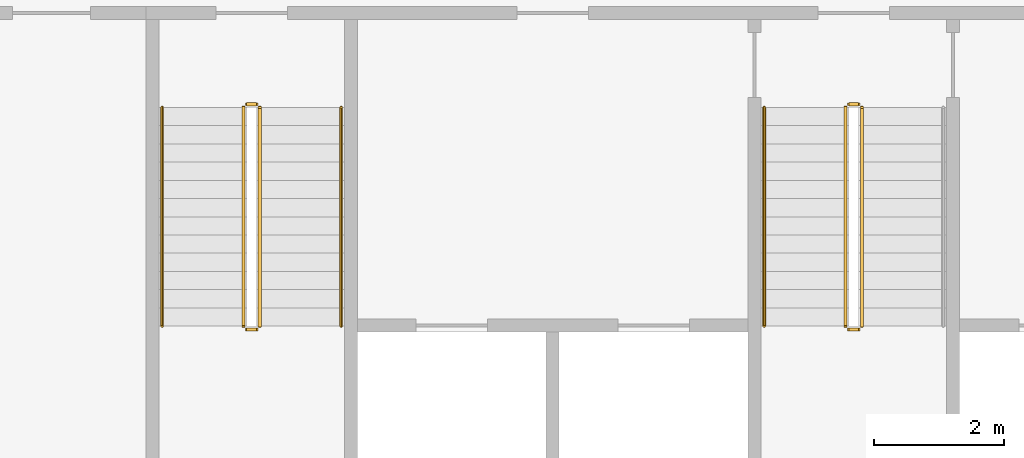
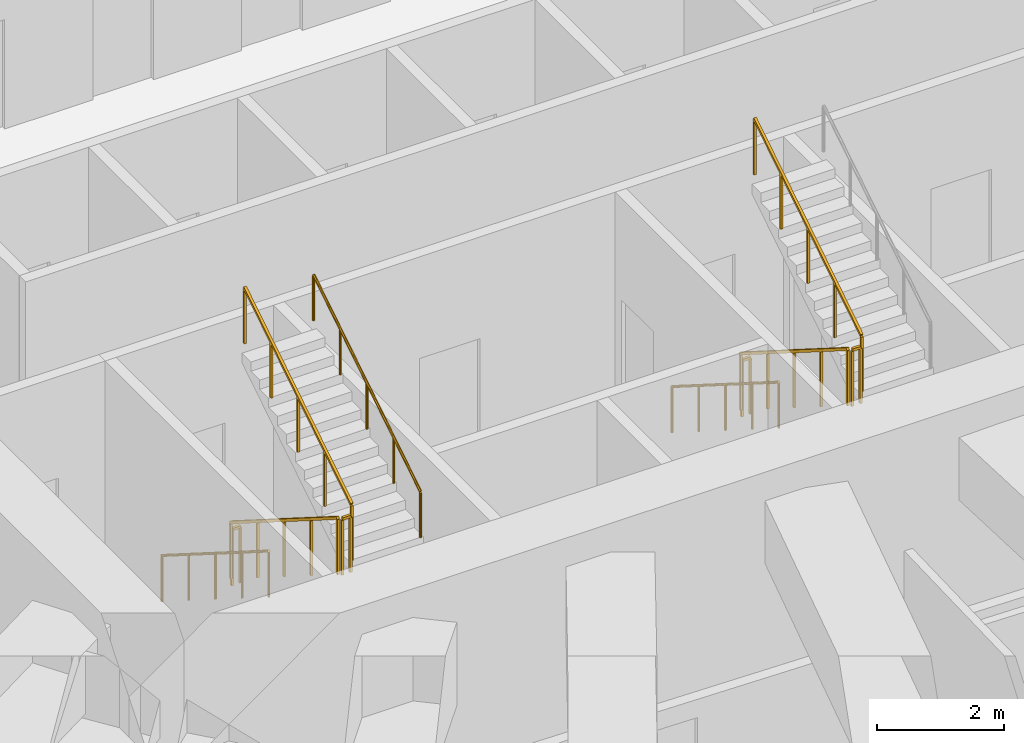
# One storey, part 17 of 20: 11 railings.
"""IFC4 building model written with IfcOpenShell, lengths in metres."""

from ifc_helpers import new_model, si_unit, direction, frame, origin, origin_2d, place, context, subcontext, project, spatial, rectangle, circle, extrude, material, type_object, element, save


model = new_model("IFC4")

# Units and contexts
model_context = context("Model", 3, precision=1e-05, world=origin(), true_north=direction((0.0, 1.0)))
body_context = subcontext(model_context, "Body", "Model", "MODEL_VIEW")
ifc_project = project(units=[si_unit("LENGTHUNIT", "METRE"), si_unit("AREAUNIT", "SQUARE_METRE"), si_unit("VOLUMEUNIT", "CUBIC_METRE"), si_unit("PLANEANGLEUNIT", "RADIAN"), si_unit("MASSUNIT", "GRAM", prefix="KILO")], contexts=[model_context])

# Site, building, storey
site_placement = place(None, origin())
site = spatial("IfcSite", under=ifc_project, at=site_placement, CompositionType="ELEMENT")
building_placement = place(site_placement, origin())
building = spatial("IfcBuilding", under=site, at=building_placement, Name="Mangrove Gate Tower", CompositionType="ELEMENT")
storey_placement = place(building_placement, frame((0.0, 0.0, 97.300048828125)))
storey = spatial("IfcBuildingStorey", under=building, at=storey_placement, Name="L24", CompositionType="ELEMENT", Elevation=97.300048828125)

# Railings
ifc_material_1 = material(Name="Stainless steel 316", Category="steel")
railing_type_1 = type_object("IfcRailingType", Name="Core stair guard 1100", PredefinedType="GUARDRAIL", material=ifc_material_1)
railing_1_placement = place(storey_placement, frame((-9.39990234375, -4.64990234375, 0.1767578125)))
element("IfcRailing", 1, at=railing_1_placement, inside=storey, type_object=railing_type_1, Name="L24 ST1 stair guard 1", PredefinedType="GUARDRAIL", context=body_context, shape_type="SweptSolid", body=[
    extrude(rectangle(XDim=0.048095703125, YDim=0.048095703125, at=origin_2d()), frame((0.0, 0.0, 1.076171875), z_axis=(0.0, -0.845361898145, 0.534194029511), x_axis=(1.0, 0.0, 0.0)), (0.0, 0.0, 1.0), 3.974853515625),
    extrude(rectangle(XDim=0.0419921875, YDim=0.0419921875, at=origin_2d()), origin(), (0.0, 0.0, 1.0), 1.052001953125),
    extrude(rectangle(XDim=0.0419921875, YDim=0.0419921875, at=origin_2d()), frame((0.0, -0.840087890625, 0.53076171875)), (0.0, 0.0, 1.0), 1.052001953125),
    extrude(rectangle(XDim=0.0419921875, YDim=0.0419921875, at=origin_2d()), frame((0.0, -1.68017578125, 1.0615234375)), (0.0, 0.0, 1.0), 1.052001953125),
    extrude(rectangle(XDim=0.0419921875, YDim=0.0419921875, at=origin_2d()), frame((0.0, -2.52001953125, 1.592529296875)), (0.0, 0.0, 1.0), 1.052001953125),
    extrude(rectangle(XDim=0.0419921875, YDim=0.0419921875, at=origin_2d()), frame((0.0, -3.360107421875, 2.123291015625)), (0.0, 0.0, 1.0), 1.052001953125),
])
railing_2_placement = place(storey_placement, frame((-9.35009765625, -8.06005859375, 2.300048828125)))
element("IfcRailing", 2, at=railing_2_placement, inside=storey, type_object=railing_type_1, Name="L24 ST1 stair guard 2", PredefinedType="GUARDRAIL", context=body_context, shape_type="SweptSolid", body=[
    extrude(rectangle(XDim=0.048095703125, YDim=0.048095703125, at=origin_2d()), frame((0.0, 0.0, 1.076171875), z_axis=(1.0, 0.0, 0.0), x_axis=(0.0, 1.0, 0.0)), (0.0, 0.0, 1.0), 0.150146484375),
    extrude(rectangle(XDim=0.0419921875, YDim=0.0419921875, at=origin_2d()), origin(), (0.0, 0.0, 1.0), 1.052001953125),
    extrude(rectangle(XDim=0.0419921875, YDim=0.0419921875, at=origin_2d()), frame((0.150146484375, 0.0, 0.0)), (0.0, 0.0, 1.0), 1.052001953125),
])
railing_3_placement = place(storey_placement, frame((-9.14990234375, -8.010009765625, 2.476806640625)))
element("IfcRailing", 3, at=railing_3_placement, inside=storey, type_object=railing_type_1, Name="L24 ST1 stair guard 3", PredefinedType="GUARDRAIL", context=body_context, shape_type="SweptSolid", body=[
    extrude(rectangle(XDim=0.048095703125, YDim=0.048095703125, at=origin_2d()), frame((0.0, 0.0, 1.076171875), z_axis=(0.0, 0.845389635667, 0.534150132366), x_axis=(-1.0, 0.0, 0.0)), (0.0, 0.0, 1.0), 3.974609375),
    extrude(rectangle(XDim=0.0419921875, YDim=0.0419921875, at=origin_2d()), origin(), (0.0, 0.0, 1.0), 1.052001953125),
    extrude(rectangle(XDim=0.0419921875, YDim=0.0419921875, at=origin_2d()), frame((0.0, 0.840087890625, 0.53076171875)), (0.0, 0.0, 1.0), 1.052001953125),
    extrude(rectangle(XDim=0.0419921875, YDim=0.0419921875, at=origin_2d()), frame((0.0, 1.68017578125, 1.0615234375)), (0.0, 0.0, 1.0), 1.052001953125),
    extrude(rectangle(XDim=0.0419921875, YDim=0.0419921875, at=origin_2d()), frame((0.0, 2.52001953125, 1.59228515625)), (0.0, 0.0, 1.0), 1.052001953125),
    extrude(rectangle(XDim=0.0419921875, YDim=0.0419921875, at=origin_2d()), frame((0.0, 3.360107421875, 2.123046875)), (0.0, 0.0, 1.0), 1.052001953125),
])
railing_4_placement = place(storey_placement, frame((-9.35009765625, -4.60009765625, 0.0)))
element("IfcRailing", 4, at=railing_4_placement, inside=storey, type_object=railing_type_1, Name="L24 ST1 stair guard 4", PredefinedType="GUARDRAIL", context=body_context, shape_type="SweptSolid", body=[
    extrude(rectangle(XDim=0.048095703125, YDim=0.048095703125, at=origin_2d()), frame((0.0, 0.0, 1.076171875), z_axis=(1.0, 0.0, 0.0), x_axis=(0.0, 1.0, 0.0)), (0.0, 0.0, 1.0), 0.150146484375),
    extrude(rectangle(XDim=0.0419921875, YDim=0.0419921875, at=origin_2d()), origin(), (0.0, 0.0, 1.0), 1.052001953125),
    extrude(rectangle(XDim=0.0419921875, YDim=0.0419921875, at=origin_2d()), frame((0.150146484375, 0.0, 0.0)), (0.0, 0.0, 1.0), 1.052001953125),
])
railing_5_placement = place(storey_placement, frame((-0.14990234375, -4.64990234375, 0.1767578125)))
element("IfcRailing", 5, at=railing_5_placement, inside=storey, type_object=railing_type_1, Name="L24 ST2 stair guard 1", PredefinedType="GUARDRAIL", context=body_context, shape_type="SweptSolid", body=[
    extrude(rectangle(XDim=0.048095703125, YDim=0.048095703125, at=origin_2d()), frame((0.0, 0.0, 1.076171875), z_axis=(0.0, -0.845361898145, 0.534194029511), x_axis=(1.0, 0.0, 0.0)), (0.0, 0.0, 1.0), 3.974853515625),
    extrude(rectangle(XDim=0.0419921875, YDim=0.0419921875, at=origin_2d()), origin(), (0.0, 0.0, 1.0), 1.052001953125),
    extrude(rectangle(XDim=0.0419921875, YDim=0.0419921875, at=origin_2d()), frame((0.0, -0.840087890625, 0.53076171875)), (0.0, 0.0, 1.0), 1.052001953125),
    extrude(rectangle(XDim=0.0419921875, YDim=0.0419921875, at=origin_2d()), frame((0.0, -1.68017578125, 1.0615234375)), (0.0, 0.0, 1.0), 1.052001953125),
    extrude(rectangle(XDim=0.0419921875, YDim=0.0419921875, at=origin_2d()), frame((0.0, -2.52001953125, 1.592529296875)), (0.0, 0.0, 1.0), 1.052001953125),
    extrude(rectangle(XDim=0.0419921875, YDim=0.0419921875, at=origin_2d()), frame((0.0, -3.360107421875, 2.123291015625)), (0.0, 0.0, 1.0), 1.052001953125),
])
railing_6_placement = place(storey_placement, frame((-0.10009765625, -8.06005859375, 2.300048828125)))
element("IfcRailing", 6, at=railing_6_placement, inside=storey, type_object=railing_type_1, Name="L24 ST2 stair guard 2", PredefinedType="GUARDRAIL", context=body_context, shape_type="SweptSolid", body=[
    extrude(rectangle(XDim=0.048095703125, YDim=0.048095703125, at=origin_2d()), frame((0.0, 0.0, 1.076171875), z_axis=(1.0, 0.0, 0.0), x_axis=(0.0, 1.0, 0.0)), (0.0, 0.0, 1.0), 0.150146484375),
    extrude(rectangle(XDim=0.0419921875, YDim=0.0419921875, at=origin_2d()), origin(), (0.0, 0.0, 1.0), 1.052001953125),
    extrude(rectangle(XDim=0.0419921875, YDim=0.0419921875, at=origin_2d()), frame((0.150146484375, 0.0, 0.0)), (0.0, 0.0, 1.0), 1.052001953125),
])
railing_7_placement = place(storey_placement, frame((0.10009765625, -8.010009765625, 2.476806640625)))
element("IfcRailing", 7, at=railing_7_placement, inside=storey, type_object=railing_type_1, Name="L24 ST2 stair guard 3", PredefinedType="GUARDRAIL", context=body_context, shape_type="SweptSolid", body=[
    extrude(rectangle(XDim=0.048095703125, YDim=0.048095703125, at=origin_2d()), frame((0.0, 0.0, 1.076171875), z_axis=(0.0, 0.845389635667, 0.534150132366), x_axis=(-1.0, 0.0, 0.0)), (0.0, 0.0, 1.0), 3.974609375),
    extrude(rectangle(XDim=0.0419921875, YDim=0.0419921875, at=origin_2d()), origin(), (0.0, 0.0, 1.0), 1.052001953125),
    extrude(rectangle(XDim=0.0419921875, YDim=0.0419921875, at=origin_2d()), frame((0.0, 0.840087890625, 0.53076171875)), (0.0, 0.0, 1.0), 1.052001953125),
    extrude(rectangle(XDim=0.0419921875, YDim=0.0419921875, at=origin_2d()), frame((0.0, 1.68017578125, 1.0615234375)), (0.0, 0.0, 1.0), 1.052001953125),
    extrude(rectangle(XDim=0.0419921875, YDim=0.0419921875, at=origin_2d()), frame((0.0, 2.52001953125, 1.59228515625)), (0.0, 0.0, 1.0), 1.052001953125),
    extrude(rectangle(XDim=0.0419921875, YDim=0.0419921875, at=origin_2d()), frame((0.0, 3.360107421875, 2.123046875)), (0.0, 0.0, 1.0), 1.052001953125),
])
railing_8_placement = place(storey_placement, frame((-0.10009765625, -4.60009765625, 0.0)))
element("IfcRailing", 8, at=railing_8_placement, inside=storey, type_object=railing_type_1, Name="L24 ST2 stair guard 4", PredefinedType="GUARDRAIL", context=body_context, shape_type="SweptSolid", body=[
    extrude(rectangle(XDim=0.048095703125, YDim=0.048095703125, at=origin_2d()), frame((0.0, 0.0, 1.076171875), z_axis=(1.0, 0.0, 0.0), x_axis=(0.0, 1.0, 0.0)), (0.0, 0.0, 1.0), 0.150146484375),
    extrude(rectangle(XDim=0.0419921875, YDim=0.0419921875, at=origin_2d()), origin(), (0.0, 0.0, 1.0), 1.052001953125),
    extrude(rectangle(XDim=0.0419921875, YDim=0.0419921875, at=origin_2d()), frame((0.150146484375, 0.0, 0.0)), (0.0, 0.0, 1.0), 1.052001953125),
])
ifc_material_2 = material(Name="Stainless steel 316", Category="steel")
railing_type_2 = type_object("IfcRailingType", Name="Core stair handrail 900", PredefinedType="HANDRAIL", material=ifc_material_2)
railing_9_placement = place(storey_placement, frame((-10.64990234375, -4.64990234375, 0.1767578125)))
element("IfcRailing", 9, at=railing_9_placement, inside=storey, type_object=railing_type_2, Name="L24 ST1 stair handrail 1", PredefinedType="HANDRAIL", context=body_context, shape_type="SweptSolid", body=[
    extrude(circle(Radius=0.02392578125, at=origin_2d()), frame((0.0, 0.0, 0.8759765625), z_axis=(0.0, -0.845361898145, 0.534194029511), x_axis=(1.0, 0.0, 0.0)), (0.0, 0.0, 1.0), 3.974853515625),
    extrude(circle(Radius=0.02099609375, at=origin_2d()), origin(), (0.0, 0.0, 1.0), 0.851806640625),
    extrude(circle(Radius=0.02099609375, at=origin_2d()), frame((0.0, -0.840087890625, 0.53076171875)), (0.0, 0.0, 1.0), 0.851806640625),
    extrude(circle(Radius=0.02099609375, at=origin_2d()), frame((0.0, -1.68017578125, 1.0615234375)), (0.0, 0.0, 1.0), 0.851806640625),
    extrude(circle(Radius=0.02099609375, at=origin_2d()), frame((0.0, -2.52001953125, 1.592529296875)), (0.0, 0.0, 1.0), 0.851806640625),
    extrude(circle(Radius=0.02099609375, at=origin_2d()), frame((0.0, -3.360107421875, 2.123291015625)), (0.0, 0.0, 1.0), 0.851806640625),
])
railing_10_placement = place(storey_placement, frame((-7.89990234375, -8.010009765625, 2.476806640625)))
element("IfcRailing", 10, at=railing_10_placement, inside=storey, type_object=railing_type_2, Name="L24 ST1 stair handrail 2", PredefinedType="HANDRAIL", context=body_context, shape_type="SweptSolid", body=[
    extrude(circle(Radius=0.02392578125, at=origin_2d()), frame((0.0, 0.0, 0.8759765625), z_axis=(0.0, 0.845389635667, 0.534150132366), x_axis=(-1.0, 0.0, 0.0)), (0.0, 0.0, 1.0), 3.974609375),
    extrude(circle(Radius=0.02099609375, at=origin_2d()), origin(), (0.0, 0.0, 1.0), 0.851806640625),
    extrude(circle(Radius=0.02099609375, at=origin_2d()), frame((0.0, 0.840087890625, 0.53076171875)), (0.0, 0.0, 1.0), 0.851806640625),
    extrude(circle(Radius=0.02099609375, at=origin_2d()), frame((0.0, 1.68017578125, 1.0615234375)), (0.0, 0.0, 1.0), 0.851806640625),
    extrude(circle(Radius=0.02099609375, at=origin_2d()), frame((0.0, 2.52001953125, 1.59228515625)), (0.0, 0.0, 1.0), 0.851806640625),
    extrude(circle(Radius=0.02099609375, at=origin_2d()), frame((0.0, 3.360107421875, 2.123046875)), (0.0, 0.0, 1.0), 0.851806640625),
])
railing_11_placement = place(storey_placement, frame((-1.39990234375, -4.64990234375, 0.1767578125)))
element("IfcRailing", 11, at=railing_11_placement, inside=storey, type_object=railing_type_2, Name="L24 ST2 stair handrail 1", PredefinedType="HANDRAIL", context=body_context, shape_type="SweptSolid", body=[
    extrude(circle(Radius=0.02392578125, at=origin_2d()), frame((0.0, 0.0, 0.8759765625), z_axis=(0.0, -0.845361898145, 0.534194029511), x_axis=(1.0, 0.0, 0.0)), (0.0, 0.0, 1.0), 3.974853515625),
    extrude(circle(Radius=0.02099609375, at=origin_2d()), origin(), (0.0, 0.0, 1.0), 0.851806640625),
    extrude(circle(Radius=0.02099609375, at=origin_2d()), frame((0.0, -0.840087890625, 0.53076171875)), (0.0, 0.0, 1.0), 0.851806640625),
    extrude(circle(Radius=0.02099609375, at=origin_2d()), frame((0.0, -1.68017578125, 1.0615234375)), (0.0, 0.0, 1.0), 0.851806640625),
    extrude(circle(Radius=0.02099609375, at=origin_2d()), frame((0.0, -2.52001953125, 1.592529296875)), (0.0, 0.0, 1.0), 0.851806640625),
    extrude(circle(Radius=0.02099609375, at=origin_2d()), frame((0.0, -3.360107421875, 2.123291015625)), (0.0, 0.0, 1.0), 0.851806640625),
])

save(model, "model.ifc")
